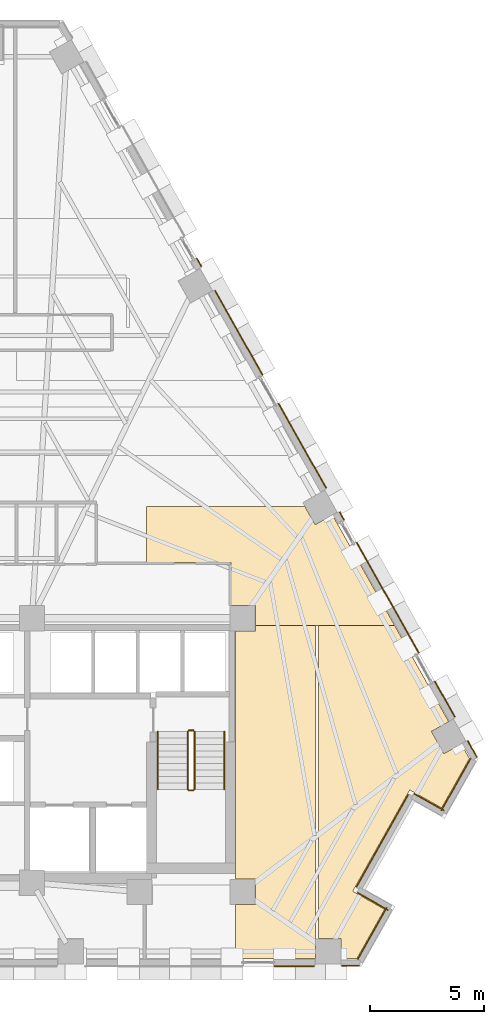
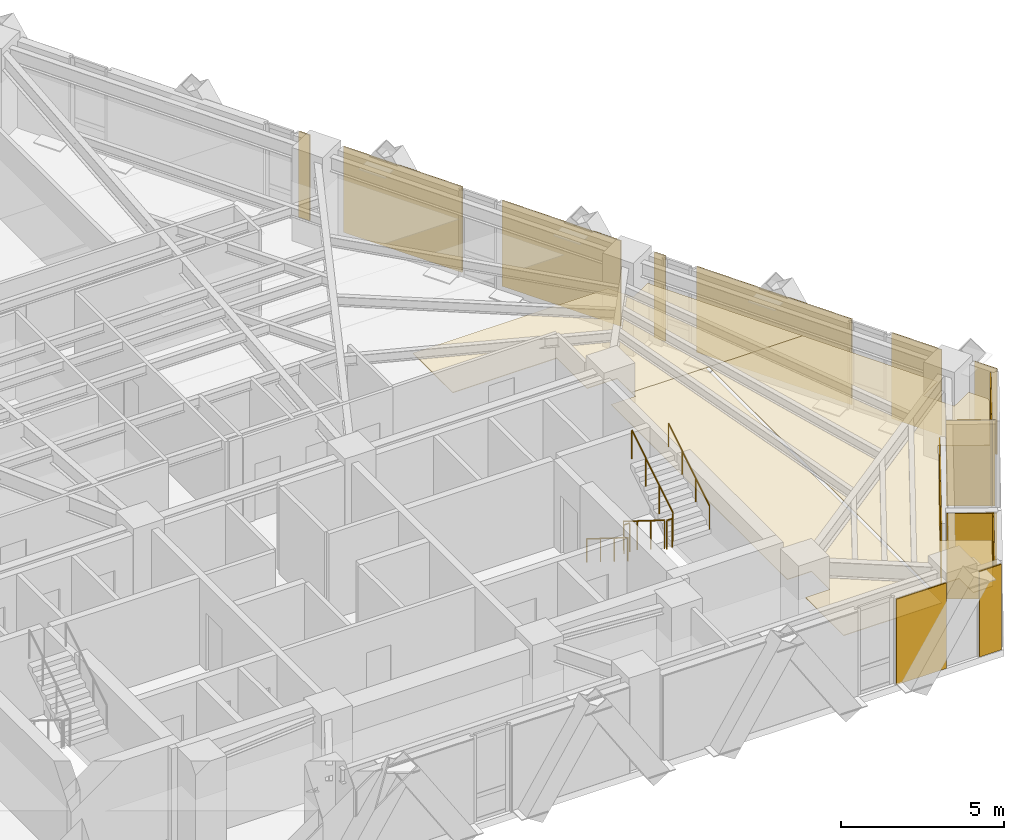
# One storey, part 12 of 13: 17 coverings, 6 railings.
"""IFC4 building model written with IfcOpenShell, lengths in metres."""

from ifc_helpers import new_model, si_unit, direction, frame, origin, origin_2d, place, context, subcontext, project, spatial, polyline, circle, outline, extrude, material, layer, layer_set, type_object, element, save


model = new_model("IFC4")

# Units and contexts
model_context = context("Model", 3, precision=1e-05, world=origin(), true_north=direction((0.0, 1.0)))
body_context = subcontext(model_context, "Body", "Model", "MODEL_VIEW")
ifc_project = project(units=[si_unit("LENGTHUNIT", "METRE"), si_unit("AREAUNIT", "SQUARE_METRE"), si_unit("VOLUMEUNIT", "CUBIC_METRE"), si_unit("PLANEANGLEUNIT", "RADIAN"), si_unit("MASSUNIT", "GRAM", prefix="KILO")], contexts=[model_context])

# Site, building, storey
site_placement = place(None, origin())
site = spatial("IfcSite", under=ifc_project, at=site_placement, CompositionType="ELEMENT")
building_placement = place(site_placement, origin())
building = spatial("IfcBuilding", under=site, at=building_placement, Name="Quenlor Broadcast Tower", CompositionType="ELEMENT")
storey_placement = place(building_placement, frame((0.0, 0.0, 83.60009765625)))
storey = spatial("IfcBuildingStorey", under=building, at=storey_placement, Name="L22", CompositionType="ELEMENT", Elevation=83.60009765625)

# Coverings
ifc_material_1 = material(Name="Acoustic Mineral Fibre Board", Category="other")
ifc_layer_1 = layer(ifc_material_1, 0.02490234375)
ifc_layer_set_1 = layer_set([ifc_layer_1], Name="Acoustic Perforated Mineral Tile Ceiling 25")
covering_type_1 = type_object("IfcCoveringType", Name="Acoustic Perforated Mineral Tile Ceiling 25", PredefinedType="CEILING", material=ifc_layer_set_1)
covering_1_placement = place(storey_placement, frame((0.0, 0.0, 2.224853515625)))
element("IfcCovering", 1, at=covering_1_placement, inside=storey, type_object=covering_type_1, Name="L22 Acoustic Ceiling L22-36", PredefinedType="CEILING", context=body_context, shape_type="SweptSolid", body=[
    extrude(outline(polyline([(13.508056640625, -4.241943359375), (12.43994140625, -4.241943359375), (12.43994140625, -2.3701171875), (8.746337890625, -2.3701171875), (8.746337890625, 0.07080078125), (15.67431640625, 0.07080078125), (16.1171875, -0.717041015625), (16.873779296875, -0.29150390625), (19.58984375, -5.1201171875), (16.260009765625, -5.1201171875), (16.139892578125, -5.1201171875), (13.508056640625, -5.1201171875), (13.508056640625, -4.241943359375)])), origin(), (0.0, 0.0, 1.0), 0.025146484375),
])
covering_2_placement = place(storey_placement, frame((0.0, 0.0, 2.224853515625)))
element("IfcCovering", 2, at=covering_2_placement, inside=storey, type_object=covering_type_1, Name="L22 Acoustic Ceiling L22-36-2", PredefinedType="CEILING", context=body_context, shape_type="SweptSolid", body=[
    extrude(outline(polyline([(13.508056640625, -5.1201171875), (16.139892578125, -5.1201171875), (16.139892578125, -18.7919921875), (16.134521484375, -19.659912109375), (12.64990234375, -19.659912109375), (12.64990234375, -17.30810546875), (13.508056640625, -17.30810546875), (13.508056640625, -16.19189453125), (12.64990234375, -16.19189453125), (12.64990234375, -5.35791015625), (13.508056640625, -5.35791015625), (13.508056640625, -5.1201171875)])), origin(), (0.0, 0.0, 1.0), 0.025146484375),
])
covering_3_placement = place(storey_placement, frame((0.0, 0.0, 2.224853515625)))
element("IfcCovering", 3, at=covering_3_placement, inside=storey, type_object=covering_type_1, Name="L22 Acoustic Ceiling L22-36-3", PredefinedType="CEILING", context=body_context, shape_type="SweptSolid", body=[
    extrude(outline(polyline([(21.951416015625, -9.318115234375), (21.19482421875, -9.74365234375), (21.741943359375, -10.71630859375), (22.49853515625, -10.290771484375), (22.85693359375, -10.927978515625), (21.64453125, -13.08349609375), (20.25, -12.299072265625), (17.759521484375, -16.7265625), (19.15380859375, -17.510986328125), (17.9453125, -19.659912109375), (17.25048828125, -19.659912109375), (17.25048828125, -18.7919921875), (16.260009765625, -18.7919921875), (16.260009765625, -5.1201171875), (19.58984375, -5.1201171875), (21.951416015625, -9.318115234375)])), origin(), (0.0, 0.0, 1.0), 0.025146484375),
])
ifc_material_2 = material(Name="Architectural Terracotta Ceramic", Category="masonry")
ifc_layer_2 = layer(ifc_material_2, 0.044921875)
ifc_layer_set_2 = layer_set([ifc_layer_2], Name="Fluted Terracotta Rainscreen Cladding Panel")
covering_type_2 = type_object("IfcCoveringType", Name="Fluted Terracotta Rainscreen Cladding Panel", PredefinedType="CLADDING", material=ifc_layer_set_2)
covering_4_placement = place(storey_placement, frame((0.0, 0.0, 0.02001953125)))
element("IfcCovering", 4, at=covering_4_placement, inside=storey, type_object=covering_type_2, Name="L22 Terracotta Rainscreen Cladding L22-SHD-SS0", PredefinedType="CLADDING", context=body_context, shape_type="SweptSolid", body=[
    extrude(outline(polyline([(18.053955078125, -19.951904296875), (17.277587890625, -19.951904296875), (17.277587890625, -19.9970703125), (18.053955078125, -19.9970703125), (18.053955078125, -19.951904296875)])), origin(), (0.0, 0.0, 1.0), 3.2099609375),
])
covering_5_placement = place(storey_placement, frame((0.0, 0.0, 0.02001953125)))
element("IfcCovering", 5, at=covering_5_placement, inside=storey, type_object=covering_type_2, Name="L22 Terracotta Rainscreen Cladding L22-SA-SP1", PredefinedType="CLADDING", context=body_context, shape_type="SweptSolid", body=[
    extrude(outline(polyline([(16.08740234375, -19.971923828125), (14.32177734375, -19.971923828125), (14.32177734375, -20.01708984375), (16.08740234375, -20.01708984375), (16.08740234375, -19.971923828125)])), origin(), (0.0, 0.0, 1.0), 3.2099609375),
])
covering_6_placement = place(storey_placement, frame((0.0, 0.0, 0.02001953125)))
element("IfcCovering", 6, at=covering_6_placement, inside=storey, type_object=covering_type_2, Name="L22 Terracotta Rainscreen Cladding L22-SHD-NES1", PredefinedType="CLADDING", context=body_context, shape_type="SweptSolid", body=[
    extrude(outline(polyline([(22.76611328125, -10.171142578125), (23.160888671875, -10.873046875), (23.2001953125, -10.85107421875), (22.805419921875, -10.149169921875), (22.76611328125, -10.171142578125)])), origin(), (0.0, 0.0, 1.0), 3.2099609375),
])
covering_7_placement = place(storey_placement, frame((0.0, 0.0, 0.02001953125)))
element("IfcCovering", 7, at=covering_7_placement, inside=storey, type_object=covering_type_2, Name="L22 Terracotta Rainscreen Cladding L22-NEA-SP3", PredefinedType="CLADDING", context=body_context, shape_type="SweptSolid", body=[
    extrude(outline(polyline([(10.936279296875, 10.900634765625), (11.13232421875, 10.552001953125), (11.171630859375, 10.57421875), (10.9755859375, 10.922607421875), (10.936279296875, 10.900634765625)])), origin(), (0.0, 0.0, 1.0), 3.2099609375),
])
covering_8_placement = place(storey_placement, frame((0.0, 0.0, 0.02001953125)))
element("IfcCovering", 8, at=covering_8_placement, inside=storey, type_object=covering_type_2, Name="L22 Terracotta Rainscreen Cladding L22-NEC-SP1", PredefinedType="CLADDING", context=body_context, shape_type="SweptSolid", body=[
    extrude(outline(polyline([(17.168701171875, -0.179443359375), (17.36474609375, -0.528076171875), (17.404052734375, -0.506103515625), (17.2080078125, -0.157470703125), (17.168701171875, -0.179443359375)])), origin(), (0.0, 0.0, 1.0), 3.2099609375),
])
covering_9_placement = place(storey_placement, frame((0.0, 0.0, 0.02001953125)))
element("IfcCovering", 9, at=covering_9_placement, inside=storey, type_object=covering_type_2, Name="L22 Terracotta Rainscreen Cladding L22-NEC-SP2", PredefinedType="CLADDING", context=body_context, shape_type="SweptSolid", body=[
    extrude(outline(polyline([(17.912841796875, -1.502197265625), (20.62744140625, -6.328369140625), (20.666748046875, -6.306396484375), (17.951904296875, -1.47998046875), (17.912841796875, -1.502197265625)])), origin(), (0.0, 0.0, 1.0), 3.2099609375),
])
covering_10_placement = place(storey_placement, frame((0.0, 0.0, 0.02001953125)))
element("IfcCovering", 10, at=covering_10_placement, inside=storey, type_object=covering_type_2, Name="L22 Terracotta Rainscreen Cladding L22-NEC-SP3", PredefinedType="CLADDING", context=body_context, shape_type="SweptSolid", body=[
    extrude(outline(polyline([(21.325927734375, -7.56982421875), (22.2001953125, -9.1240234375), (22.239501953125, -9.10205078125), (21.364990234375, -7.5478515625), (21.325927734375, -7.56982421875)])), origin(), (0.0, 0.0, 1.0), 3.2099609375),
])
covering_11_placement = place(storey_placement, frame((0.0, 0.0, 0.02001953125)))
element("IfcCovering", 11, at=covering_11_placement, inside=storey, type_object=covering_type_2, Name="L22 Terracotta Rainscreen Cladding L22-NE-SP1", PredefinedType="CLADDING", context=body_context, shape_type="SweptSolid", body=[
    extrude(outline(polyline([(11.72314453125, 9.501708984375), (13.801513671875, 5.806884765625), (13.8408203125, 5.8291015625), (11.76220703125, 9.523681640625), (11.72314453125, 9.501708984375)])), origin(), (0.0, 0.0, 1.0), 3.2099609375),
])
covering_12_placement = place(storey_placement, frame((0.0, 0.0, 0.02001953125)))
element("IfcCovering", 12, at=covering_12_placement, inside=storey, type_object=covering_type_2, Name="L22 Terracotta Rainscreen Cladding L22-NE-SP2", PredefinedType="CLADDING", context=body_context, shape_type="SweptSolid", body=[
    extrude(outline(polyline([(14.499755859375, 4.565673828125), (16.577880859375, 0.870849609375), (16.6171875, 0.892822265625), (14.538818359375, 4.587646484375), (14.499755859375, 4.565673828125)])), origin(), (0.0, 0.0, 1.0), 3.2099609375),
])
covering_13_placement = place(storey_placement, frame((0.0, 0.0, 0.02001953125)))
element("IfcCovering", 13, at=covering_13_placement, inside=storey, type_object=covering_type_2, Name="L22 Terracotta Rainscreen Cladding L22-CNR-01", PredefinedType="CLADDING", context=body_context, shape_type="SweptSolid", body=[
    extrude(outline(polyline([(19.31787109375, -17.525390625), (17.9755859375, -16.770263671875), (17.95361328125, -16.8095703125), (19.2958984375, -17.564697265625), (19.31787109375, -17.525390625)])), origin(), (0.0, 0.0, 1.0), 3.2099609375),
])
covering_14_placement = place(storey_placement, frame((0.0, 0.0, 0.02001953125)))
element("IfcCovering", 14, at=covering_14_placement, inside=storey, type_object=covering_type_2, Name="L22 Terracotta Rainscreen Cladding L22-CNR-02", PredefinedType="CLADDING", context=body_context, shape_type="SweptSolid", body=[
    extrude(outline(polyline([(17.941162109375, -16.5419921875), (20.206298828125, -12.515380859375), (20.1669921875, -12.493408203125), (17.902099609375, -16.52001953125), (17.941162109375, -16.5419921875)])), origin(), (0.0, 0.0, 1.0), 2.681640625),
])
covering_15_placement = place(storey_placement, frame((0.0, 0.0, 0.02001953125)))
element("IfcCovering", 15, at=covering_15_placement, inside=storey, type_object=covering_type_2, Name="L22 Terracotta Rainscreen Cladding L22-CNR-03", PredefinedType="CLADDING", context=body_context, shape_type="SweptSolid", body=[
    extrude(outline(polyline([(20.4345703125, -12.48095703125), (21.741943359375, -13.21630859375), (21.763916015625, -13.177001953125), (20.45654296875, -12.441650390625), (20.4345703125, -12.48095703125)])), origin(), (0.0, 0.0, 1.0), 3.2099609375),
])
covering_16_placement = place(storey_placement, frame((0.0, 0.0, 0.02001953125)))
element("IfcCovering", 16, at=covering_16_placement, inside=storey, type_object=covering_type_2, Name="L22 Terracotta Rainscreen Cladding L22-CNR-04", PredefinedType="CLADDING", context=body_context, shape_type="SweptSolid", body=[
    extrude(outline(polyline([(21.64990234375, -13.212646484375), (22.926513671875, -10.94287109375), (22.887451171875, -10.9208984375), (21.610595703125, -13.190673828125), (21.64990234375, -13.212646484375)])), origin(), (0.0, 0.0, 1.0), 3.2099609375),
])
covering_17_placement = place(storey_placement, frame((0.0, 0.0, 0.02001953125)))
element("IfcCovering", 17, at=covering_17_placement, inside=storey, type_object=covering_type_2, Name="L22 Terracotta Rainscreen Cladding L22-CNR-18", PredefinedType="CLADDING", context=body_context, shape_type="SweptSolid", body=[
    extrude(outline(polyline([(17.991943359375, -19.71533203125), (19.26708984375, -17.448486328125), (19.227783203125, -17.426513671875), (17.952880859375, -19.693359375), (17.991943359375, -19.71533203125)])), origin(), (0.0, 0.0, 1.0), 3.2099609375),
])

# Railings
ifc_material_3 = material(Name="Anodised Aluminium", Category="aluminium")
railing_type_1 = type_object("IfcRailingType", Name="Stainless Aluminium Wall Handrail 900", PredefinedType="HANDRAIL", material=ifc_material_3)
railing_1_placement = place(storey_placement, frame((9.25, -9.75, 0.1748046875)))
element("IfcRailing", 18, at=railing_1_placement, inside=storey, type_object=railing_type_1, Name="L22 ST-2 stair handrail 1", PredefinedType="HANDRAIL", context=body_context, shape_type="SweptSolid", body=[
    extrude(circle(Radius=0.02392578125, at=origin_2d()), frame((0.0, 0.0, 0.8759765625), z_axis=(0.0, -0.847970611238, 0.530043245855), x_axis=(1.0, 0.0, 0.0)), (0.0, 0.0, 1.0), 2.971923828125),
    extrude(circle(Radius=0.02099609375, at=origin_2d()), origin(), (0.0, 0.0, 1.0), 0.851806640625),
    extrude(circle(Radius=0.02099609375, at=origin_2d()), frame((0.0, -0.840087890625, 0.525146484375)), (0.0, 0.0, 1.0), 0.851806640625),
    extrude(circle(Radius=0.02099609375, at=origin_2d()), frame((0.0, -1.679931640625, 1.050048828125)), (0.0, 0.0, 1.0), 0.851806640625),
    extrude(circle(Radius=0.02099609375, at=origin_2d()), frame((0.0, -2.52001953125, 1.5751953125)), (0.0, 0.0, 1.0), 0.851806640625),
])
railing_2_placement = place(storey_placement, frame((12.14990234375, -12.27001953125, 1.9248046875)))
element("IfcRailing", 19, at=railing_2_placement, inside=storey, type_object=railing_type_1, Name="L22 ST-2 stair handrail 2", PredefinedType="HANDRAIL", context=body_context, shape_type="SweptSolid", body=[
    extrude(circle(Radius=0.02392578125, at=origin_2d()), frame((0.0, 0.0, 0.8759765625), z_axis=(0.0, 0.847970611238, 0.530043245855), x_axis=(-1.0, 0.0, 0.0)), (0.0, 0.0, 1.0), 2.971923828125),
    extrude(circle(Radius=0.02099609375, at=origin_2d()), origin(), (0.0, 0.0, 1.0), 0.851806640625),
    extrude(circle(Radius=0.02099609375, at=origin_2d()), frame((0.0, 0.840087890625, 0.525146484375)), (0.0, 0.0, 1.0), 0.851806640625),
    extrude(circle(Radius=0.02099609375, at=origin_2d()), frame((0.0, 1.679931640625, 1.050048828125)), (0.0, 0.0, 1.0), 0.851806640625),
    extrude(circle(Radius=0.02099609375, at=origin_2d()), frame((0.0, 2.52001953125, 1.5751953125)), (0.0, 0.0, 1.0), 0.851806640625),
])
ifc_material_4 = material(Name="Steel S355", Category="steel")
railing_type_2 = type_object("IfcRailingType", Name="Tubular Steel S355 Stair Guardrail 1100", PredefinedType="BALUSTRADE", material=ifc_material_4)
railing_3_placement = place(storey_placement, frame((10.550048828125, -9.75, 0.1748046875)))
element("IfcRailing", 20, at=railing_3_placement, inside=storey, type_object=railing_type_2, Name="L22 ST-2 stair guard 1", PredefinedType="BALUSTRADE", context=body_context, shape_type="SweptSolid", body=[
    extrude(circle(Radius=0.02392578125, at=origin_2d()), frame((0.0, 0.0, 1.076171875), z_axis=(0.0, -0.847970611238, 0.530043245855), x_axis=(1.0, 0.0, 0.0)), (0.0, 0.0, 1.0), 2.971923828125),
    extrude(circle(Radius=0.02099609375, at=origin_2d()), origin(), (0.0, 0.0, 1.0), 1.052001953125),
    extrude(circle(Radius=0.02099609375, at=origin_2d()), frame((0.0, -0.840087890625, 0.525146484375)), (0.0, 0.0, 1.0), 1.052001953125),
    extrude(circle(Radius=0.02099609375, at=origin_2d()), frame((0.0, -1.679931640625, 1.050048828125)), (0.0, 0.0, 1.0), 1.052001953125),
    extrude(circle(Radius=0.02099609375, at=origin_2d()), frame((0.0, -2.52001953125, 1.5751953125)), (0.0, 0.0, 1.0), 1.052001953125),
])
railing_4_placement = place(storey_placement, frame((10.60009765625, -12.320068359375, 1.75)))
element("IfcRailing", 21, at=railing_4_placement, inside=storey, type_object=railing_type_2, Name="L22 ST-2 stair guard 2", PredefinedType="BALUSTRADE", context=body_context, shape_type="SweptSolid", body=[
    extrude(circle(Radius=0.02392578125, at=origin_2d()), frame((0.0, 0.0, 1.076171875), z_axis=(1.0, 0.0, 0.0), x_axis=(0.0, 1.0, 0.0)), (0.0, 0.0, 1.0), 0.199951171875),
    extrude(circle(Radius=0.02099609375, at=origin_2d()), origin(), (0.0, 0.0, 1.0), 1.052001953125),
    extrude(circle(Radius=0.02099609375, at=origin_2d()), frame((0.199951171875, 0.0, 0.0)), (0.0, 0.0, 1.0), 1.052001953125),
])
railing_5_placement = place(storey_placement, frame((10.85009765625, -12.27001953125, 1.9248046875)))
element("IfcRailing", 22, at=railing_5_placement, inside=storey, type_object=railing_type_2, Name="L22 ST-2 stair guard 3", PredefinedType="BALUSTRADE", context=body_context, shape_type="SweptSolid", body=[
    extrude(circle(Radius=0.02392578125, at=origin_2d()), frame((0.0, 0.0, 1.076171875), z_axis=(0.0, 0.847970611238, 0.530043245855), x_axis=(-1.0, 0.0, 0.0)), (0.0, 0.0, 1.0), 2.971923828125),
    extrude(circle(Radius=0.02099609375, at=origin_2d()), origin(), (0.0, 0.0, 1.0), 1.052001953125),
    extrude(circle(Radius=0.02099609375, at=origin_2d()), frame((0.0, 0.840087890625, 0.525146484375)), (0.0, 0.0, 1.0), 1.052001953125),
    extrude(circle(Radius=0.02099609375, at=origin_2d()), frame((0.0, 1.679931640625, 1.050048828125)), (0.0, 0.0, 1.0), 1.052001953125),
    extrude(circle(Radius=0.02099609375, at=origin_2d()), frame((0.0, 2.52001953125, 1.5751953125)), (0.0, 0.0, 1.0), 1.052001953125),
])
railing_6_placement = place(storey_placement, frame((10.60009765625, -9.699951171875, 0.0)))
element("IfcRailing", 23, at=railing_6_placement, inside=storey, type_object=railing_type_2, Name="L22 ST-2 stair guard 4", PredefinedType="BALUSTRADE", context=body_context, shape_type="SweptSolid", body=[
    extrude(circle(Radius=0.02392578125, at=origin_2d()), frame((0.0, 0.0, 1.076171875), z_axis=(1.0, 0.0, 0.0), x_axis=(0.0, 1.0, 0.0)), (0.0, 0.0, 1.0), 0.199951171875),
    extrude(circle(Radius=0.02099609375, at=origin_2d()), origin(), (0.0, 0.0, 1.0), 1.052001953125),
    extrude(circle(Radius=0.02099609375, at=origin_2d()), frame((0.199951171875, 0.0, 0.0)), (0.0, 0.0, 1.0), 1.052001953125),
])

save(model, "model.ifc")
